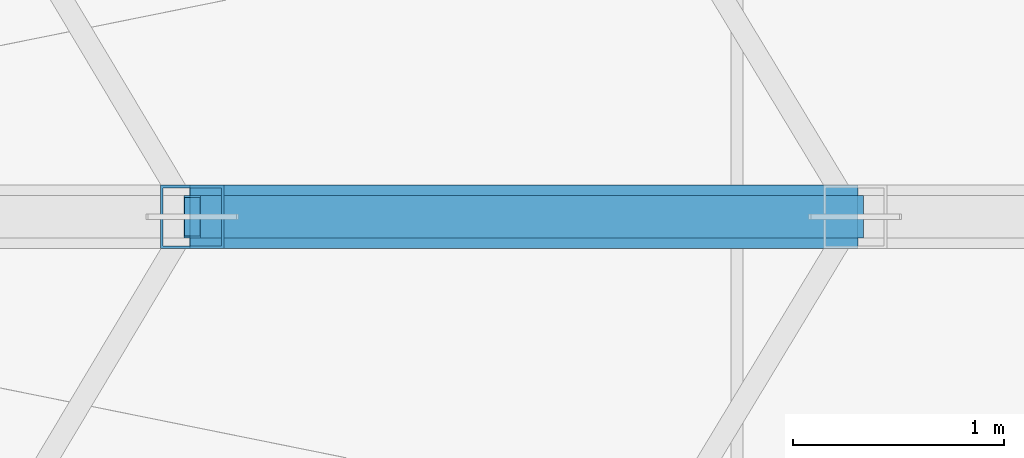
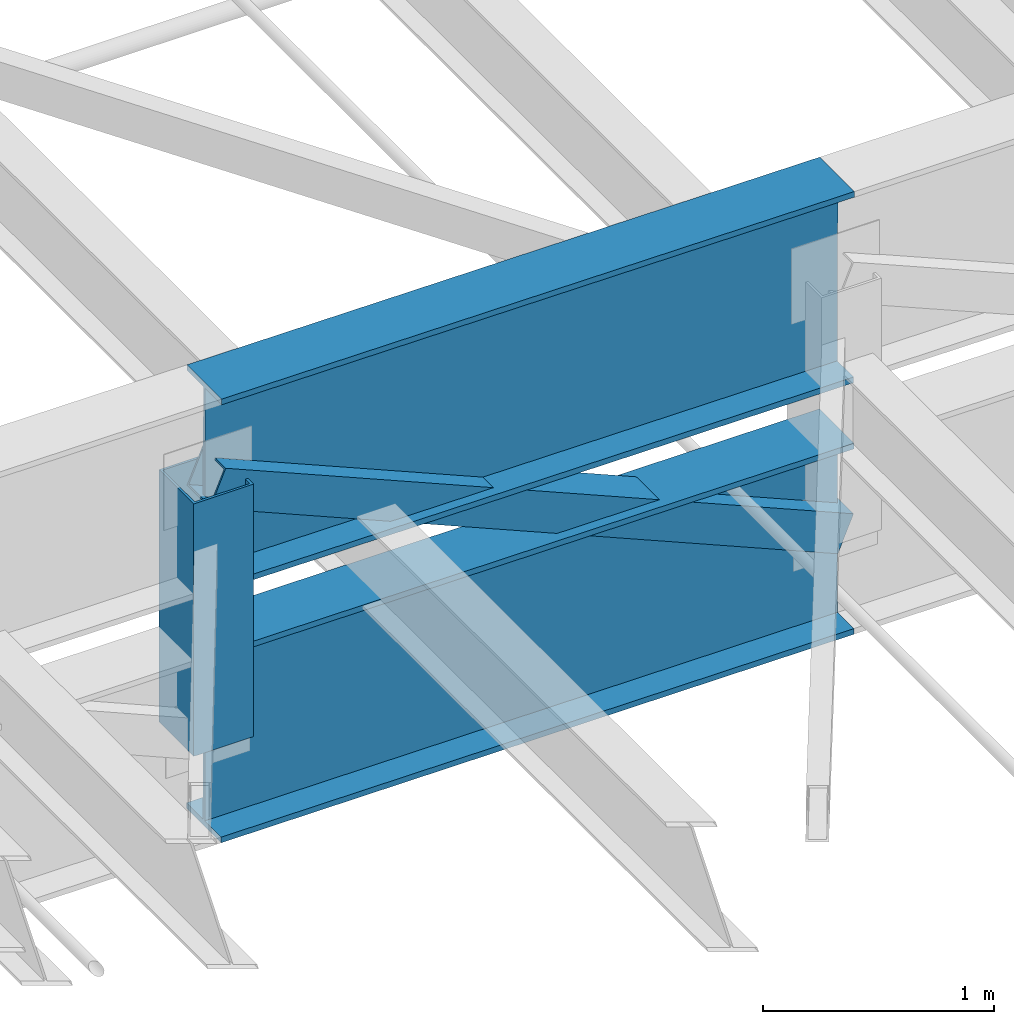
# One storey, part 77 of 184: 2 beams, 2 members.
"""IFC4 building model written with IfcOpenShell, lengths in metres."""

import ifcopenshell
import ifcopenshell.guid

model = None  # the IFC model being written
_history = None  # IfcOwnerHistory: only IFC2X3 demands one
_inside = {}  # id of a spatial element -> (the spatial element, [elements in it])
_under = {}  # id of a project, library or spatial element -> (it, [spatial elements below it])
_declared = {}  # id of a project -> (the project, [libraries it declares])
_typed = {}  # id of a type object -> (the type object, [elements of that type])
_made_of = {}  # id of a material, layer set ... -> (it, [elements and type objects made of it])


def new_model(schema):
    """Start an empty IFC model of exactly this schema.

    Asked for "IFC4X3", IfcOpenShell would pick the latest addendum, in which some entities
    have other attributes; the version numbers below select the first issue.
    IFC2X3 requires an IfcOwnerHistory on every rooted entity: one is made here for all.
    """
    global model, _history
    if schema == "IFC4X3":
        model = ifcopenshell.file(schema_version=(4, 3, 0, 0))
    else:
        model = ifcopenshell.file(schema=schema)
    _inside.clear()
    _under.clear()
    _declared.clear()
    _typed.clear()
    _made_of.clear()
    _history = None
    if model.schema == "IFC2X3":
        org = make("IfcOrganization", Name="unknown")
        user = make(
            "IfcPersonAndOrganization",
            ThePerson=make("IfcPerson", FamilyName="unknown"),
            TheOrganization=org,
        )
        app = make(
            "IfcApplication",
            ApplicationDeveloper=org,
            Version="unknown",
            ApplicationFullName="unknown",
            ApplicationIdentifier="unknown",
        )
        _history = make(
            "IfcOwnerHistory",
            OwningUser=user,
            OwningApplication=app,
            ChangeAction="ADDED",
            CreationDate=0,
        )
    return model


def make(cls, **values):
    """One entity of the class cls with the attributes given. An attribute that is None is left unset."""
    return model.create_entity(
        cls, **{name: value for name, value in values.items() if value is not None}
    )


def rooted(cls, **values):
    """An entity with a GlobalId (a new one), such as an element, a storey or a relation."""
    return make(cls, GlobalId=ifcopenshell.guid.new(), OwnerHistory=_history, **values)


def si_unit(unit_type, name, prefix=None):
    """IfcSIUnit, for example si_unit("LENGTHUNIT", "METRE", prefix="MILLI")."""
    return make("IfcSIUnit", UnitType=unit_type, Prefix=prefix, Name=name)


def assignment(units):
    """IfcUnitAssignment: the units of a project."""
    return None if units is None else make("IfcUnitAssignment", Units=units)


def point(xyz):
    """IfcCartesianPoint."""
    return None if xyz is None else make("IfcCartesianPoint", Coordinates=xyz)


def direction(xyz):
    """IfcDirection."""
    return None if xyz is None else make("IfcDirection", DirectionRatios=xyz)


def frame(location, z_axis=None, x_axis=None):
    """IfcAxis2Placement3D, a coordinate frame: its origin and axes. An axis left out is left unset."""
    return make(
        "IfcAxis2Placement3D",
        Location=point(location),
        Axis=direction(z_axis),
        RefDirection=direction(x_axis),
    )


def frame_2d(location, x_axis=None):
    """IfcAxis2Placement2D, a coordinate frame in the plane: its origin and x axis."""
    return make(
        "IfcAxis2Placement2D", Location=point(location), RefDirection=direction(x_axis)
    )


def origin():
    """The frame at (0, 0, 0) with its axes left unset."""
    return frame((0.0, 0.0, 0.0))


def origin_2d():
    """The frame at (0, 0) in the plane with its x axis left unset."""
    return frame_2d((0.0, 0.0))


def place(relative_to, where):
    """IfcLocalPlacement: puts the frame where relative to a parent placement (None: the world)."""
    return make(
        "IfcLocalPlacement", PlacementRelTo=relative_to, RelativePlacement=where
    )


def context(
    kind, dimensions, precision=None, world=None, true_north=None, identifier=None
):
    """IfcGeometricRepresentationContext, for example the 3D "Model" context."""
    return make(
        "IfcGeometricRepresentationContext",
        ContextIdentifier=identifier,
        ContextType=kind,
        CoordinateSpaceDimension=dimensions,
        Precision=precision,
        WorldCoordinateSystem=world,
        TrueNorth=true_north,
    )


def subcontext(parent, identifier, kind, view, scale=None):
    """IfcGeometricRepresentationSubContext, for example "Body" below "Model"."""
    return make(
        "IfcGeometricRepresentationSubContext",
        ContextIdentifier=identifier,
        ContextType=kind,
        ParentContext=parent,
        TargetScale=scale,
        TargetView=view,
    )


def project(units=None, contexts=None):
    """IfcProject with its units and contexts."""
    return rooted(
        "IfcProject",
        Name="project",
        RepresentationContexts=contexts,
        UnitsInContext=assignment(units),
    )


def spatial(cls, under=None, at=None, **own):
    """A site, building, storey or space (cls), placed at a placement, below another one or the project."""
    s = rooted(cls, ObjectPlacement=at, **own)
    if under is not None:
        _under.setdefault(under.id(), (under, []))[1].append(s)
    return s


def profile(cls, at=None, kind="AREA", **sizes):
    """A parametric profile (cls). Its sizes go by their IFC names, for example OverallWidth=200.0."""
    return make(cls, ProfileType=kind, Position=at, **sizes)


def hollow_rectangle(**sizes):
    """IfcRectangleHollowProfileDef."""
    return profile("IfcRectangleHollowProfileDef", **sizes)


def i_section(**sizes):
    """IfcIShapeProfileDef."""
    return profile("IfcIShapeProfileDef", **sizes)


def extrude(swept, where, along, depth):
    """IfcExtrudedAreaSolid: the profile swept, set in the frame where, extruded along a direction by depth."""
    return make(
        "IfcExtrudedAreaSolid",
        SweptArea=swept,
        Position=where,
        ExtrudedDirection=direction(along),
        Depth=depth,
    )


def shape(context_of_items, identifier, shape_type, items):
    """IfcShapeRepresentation: the items that make up one representation, for example the "Body"."""
    return make(
        "IfcShapeRepresentation",
        ContextOfItems=context_of_items,
        RepresentationIdentifier=identifier,
        RepresentationType=shape_type,
        Items=items,
    )


def material(Name=None, Category=None):
    """IfcMaterial."""
    return make("IfcMaterial", Name=Name, Category=Category)


def material_profile(
    of_material, cross_section, Name=None, Category=None, Priority=None
):
    """IfcMaterialProfile: a cross section and its material."""
    return make(
        "IfcMaterialProfile",
        Name=Name,
        Material=of_material,
        Profile=cross_section,
        Priority=Priority,
        Category=Category,
    )


def profile_set(profiles, Name=None, composite=None):
    """IfcMaterialProfileSet."""
    return make(
        "IfcMaterialProfileSet",
        Name=Name,
        MaterialProfiles=profiles,
        CompositeProfile=composite,
    )


def made_of(thing, what):
    """Note that an element or type object is made of a material, layer set ...; save() writes the relation."""
    if what is not None:
        _made_of.setdefault(what.id(), (what, []))[1].append(thing)
    return thing


def type_object(cls, material=None, **own):
    """A type object (cls), such as IfcWallType, which elements share."""
    return made_of(rooted(cls, **own), material)


def element(
    cls,
    number,
    at=None,
    inside=None,
    cuts=None,
    type_object=None,
    material=None,
    context=None,
    identifier="Body",
    shape_type=None,
    held_by="IfcProductDefinitionShape",
    body=None,
    shapes=None,
    **own,
):
    """One element of the class cls, such as IfcWall. Its Tag is "e" and its number.

    at: its placement. inside: the storey or other place that contains it. cuts: it is an
    opening in that element (IfcRelVoidsElement). A single representation is given by context,
    identifier, shape_type and body (its items); several are given by shapes. held_by: the class
    of the entity that holds the representations. save() writes the other relations.
    """
    e = rooted(cls, Tag="e%d" % number, ObjectPlacement=at, **own)
    if body is not None:
        shapes = [shape(context, identifier, shape_type, body)]
    if shapes is not None:
        e.Representation = make(held_by, Representations=shapes)
    if inside is not None:
        _inside.setdefault(inside.id(), (inside, []))[1].append(e)
    if cuts is not None:
        rooted(
            "IfcRelVoidsElement", RelatingBuildingElement=cuts, RelatedOpeningElement=e
        )
    if type_object is not None:
        _typed.setdefault(type_object.id(), (type_object, []))[1].append(e)
    return made_of(e, material)


def aggregate(whole, parts):
    """IfcRelAggregates: a whole, such as a stair, and the parts it consists of."""
    return rooted("IfcRelAggregates", RelatingObject=whole, RelatedObjects=parts)


def save(model, path):
    """Write the relations noted so far, then the file.

    IfcRelAggregates (storeys below a building ...), IfcRelContainedInSpatialStructure (elements
    in a storey), IfcRelDefinesByType, IfcRelAssociatesMaterial and IfcRelDeclares: one each for
    every whole, place, type object, material and project.
    """
    for whole, parts in _under.values():
        aggregate(whole, parts)
    for where, things in _inside.values():
        rooted(
            "IfcRelContainedInSpatialStructure",
            RelatedElements=things,
            RelatingStructure=where,
        )
    for kind, things in _typed.values():
        rooted("IfcRelDefinesByType", RelatedObjects=things, RelatingType=kind)
    for what, things in _made_of.values():
        rooted("IfcRelAssociatesMaterial", RelatedObjects=things, RelatingMaterial=what)
    for by, libraries in _declared.values():
        rooted("IfcRelDeclares", RelatingContext=by, RelatedDefinitions=libraries)
    model.write(path)


model = new_model("IFC4")

# Units and contexts
model_context = context("Model", 3, precision=1e-05, world=origin(), true_north=direction((0.0, 1.0)))
body_context = subcontext(model_context, "Body", "Model", "MODEL_VIEW")
ifc_project = project(units=[si_unit("LENGTHUNIT", "METRE"), si_unit("AREAUNIT", "SQUARE_METRE"), si_unit("VOLUMEUNIT", "CUBIC_METRE"), si_unit("PLANEANGLEUNIT", "RADIAN"), si_unit("MASSUNIT", "GRAM", prefix="KILO")], contexts=[model_context])

# Site, building, storey
site_placement = place(None, origin())
site = spatial("IfcSite", under=ifc_project, at=site_placement, CompositionType="ELEMENT")
building_placement = place(site_placement, origin())
building = spatial("IfcBuilding", under=site, at=building_placement, Name="Kalgoora Escarpment Arena", CompositionType="ELEMENT")
storey_placement = place(building_placement, frame((0.0, 0.0, 27.60009765625)))
storey = spatial("IfcBuildingStorey", under=building, at=storey_placement, Name="Roof Level", CompositionType="ELEMENT", Elevation=27.60009765625)

# Beams
ifc_material_1 = material(Name="Structural steel Grade 350 (350 MPa)", Category="steel")
ifc_material_profile_1 = material_profile(ifc_material_1, i_section(OverallWidth=0.300048828125, OverallDepth=1.010009765625, WebThickness=0.01611328125, FlangeThickness=0.030029296875, at=origin_2d()))
ifc_profile_set_1 = profile_set([ifc_material_profile_1], Name="Structural steel Grade 350 (350 MPa)")
beam_type = type_object("IfcBeamType", Name="BM-TRUSS-CHORD", PredefinedType="USERDEFINED", material=ifc_profile_set_1)
for number, where, z_axis, x_axis, name in (
    (1, (118.172119140625, 64.0, -1.6201171875), (-0.999998687203, 0.0, 0.001620368243), (0.0, -1.0, 0.0), "Radial ROOF TRUSS spine 1 bottom chord 8"),
    (2, (118.172119140625, 64.0, -0.2900390625), (-0.999994995918, 0.0, 0.003163564416), (0.0, -1.0, 0.0), "Radial ROOF TRUSS spine 1 top chord 8"),
):
    element("IfcBeam", number, at=place(storey_placement, frame(where, z_axis=z_axis, x_axis=x_axis)), inside=storey, type_object=beam_type, Name=name, ObjectType="GIRDER", PredefinedType="USERDEFINED", context=body_context, shape_type="SweptSolid", body=[
        extrude(i_section(OverallWidth=0.300048828125, OverallDepth=1.010009765625, WebThickness=0.01611328125, FlangeThickness=0.030029296875, at=origin_2d()), origin(), (0.0, 0.0, 1.0), 3.1640625),
    ])

# Members
ifc_material_2 = material(Name="Structural steel C350 (350 MPa)", Category="steel")
ifc_material_profile_2 = material_profile(ifc_material_2, hollow_rectangle(XDim=0.199951171875, YDim=0.199951171875, WallThickness=0.009033203125, at=origin_2d()))
ifc_profile_set_2 = profile_set([ifc_material_profile_2], Name="Structural steel C350 (350 MPa)")
member_type_1 = type_object("IfcMemberType", Name="MEM-TRUSS-DIAG", PredefinedType="BRACE", material=ifc_profile_set_2)
member_1_placement = place(storey_placement, frame((118.159912109375, 64.0, -1.6201171875), z_axis=(-0.919735828942, 0.0, 0.392537902578), x_axis=(0.0, 1.0, 0.0)))
element("IfcMember", 3, at=member_1_placement, inside=storey, type_object=member_type_1, Name="Radial ROOF TRUSS spine 1 web diagonal 8", PredefinedType="BRACE", context=body_context, shape_type="SweptSolid", body=[
    extrude(hollow_rectangle(XDim=0.199951171875, YDim=0.199951171875, WallThickness=0.009033203125, at=origin_2d()), origin(), (0.0, 0.0, 1.0), 3.413818359375),
])
ifc_material_3 = material(Name="Structural steel C450 (450 MPa)", Category="steel")
ifc_material_profile_3 = material_profile(ifc_material_3, hollow_rectangle(XDim=0.300048828125, YDim=0.300048828125, WallThickness=0.012451171875, at=origin_2d()))
ifc_profile_set_3 = profile_set([ifc_material_profile_3], Name="Structural steel C450 (450 MPa)")
member_type_2 = type_object("IfcMemberType", Name="MEM-TRUSS-POST", PredefinedType="POST", material=ifc_profile_set_3)
member_2_placement = place(storey_placement, frame((115.02001953125, 64.0, -1.614990234375), z_axis=(0.0, 0.0, 1.0), x_axis=(-1.0, 0.0, 0.0)))
element("IfcMember", 4, at=member_2_placement, inside=storey, type_object=member_type_2, Name="Radial ROOF TRUSS spine 1 post 8", PredefinedType="POST", context=body_context, shape_type="SweptSolid", body=[
    extrude(hollow_rectangle(XDim=0.300048828125, YDim=0.300048828125, WallThickness=0.012451171875, at=origin_2d()), origin(), (0.0, 0.0, 1.0), 1.3349609375),
])

save(model, "model.ifc")
